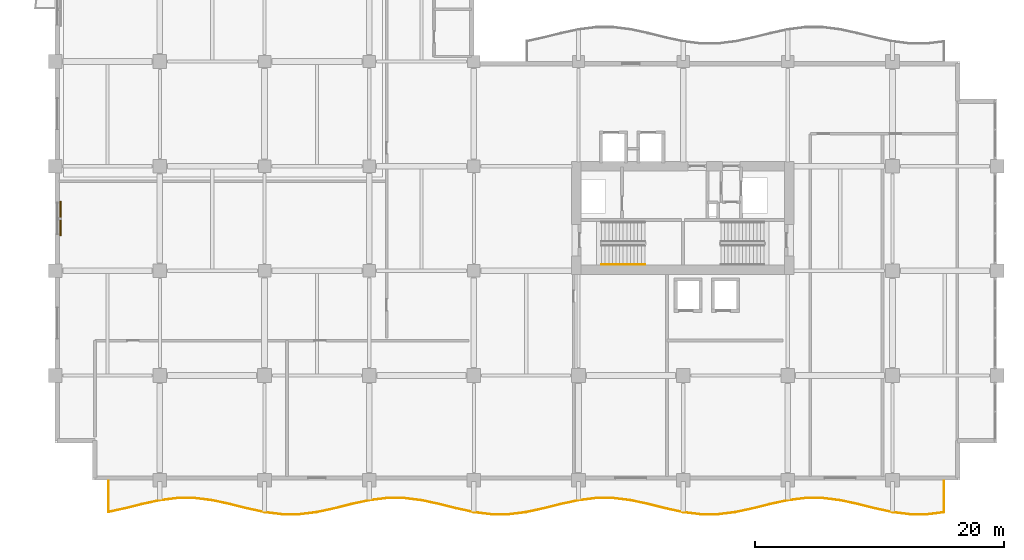
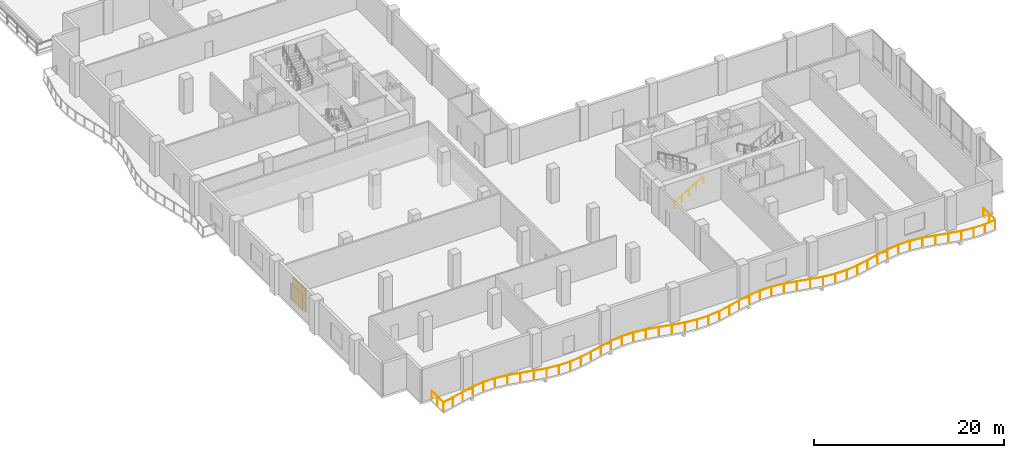
# One storey, part 18 of 22: 2 railings, 1 shading device.
"""IFC4 building model written with IfcOpenShell, lengths in metres."""

import ifcopenshell
import ifcopenshell.guid

model = None  # the IFC model being written
_history = None  # IfcOwnerHistory: only IFC2X3 demands one
_inside = {}  # id of a spatial element -> (the spatial element, [elements in it])
_under = {}  # id of a project, library or spatial element -> (it, [spatial elements below it])
_declared = {}  # id of a project -> (the project, [libraries it declares])
_typed = {}  # id of a type object -> (the type object, [elements of that type])
_made_of = {}  # id of a material, layer set ... -> (it, [elements and type objects made of it])


def new_model(schema):
    """Start an empty IFC model of exactly this schema.

    Asked for "IFC4X3", IfcOpenShell would pick the latest addendum, in which some entities
    have other attributes; the version numbers below select the first issue.
    IFC2X3 requires an IfcOwnerHistory on every rooted entity: one is made here for all.
    """
    global model, _history
    if schema == "IFC4X3":
        model = ifcopenshell.file(schema_version=(4, 3, 0, 0))
    else:
        model = ifcopenshell.file(schema=schema)
    _inside.clear()
    _under.clear()
    _declared.clear()
    _typed.clear()
    _made_of.clear()
    _history = None
    if model.schema == "IFC2X3":
        org = make("IfcOrganization", Name="unknown")
        user = make(
            "IfcPersonAndOrganization",
            ThePerson=make("IfcPerson", FamilyName="unknown"),
            TheOrganization=org,
        )
        app = make(
            "IfcApplication",
            ApplicationDeveloper=org,
            Version="unknown",
            ApplicationFullName="unknown",
            ApplicationIdentifier="unknown",
        )
        _history = make(
            "IfcOwnerHistory",
            OwningUser=user,
            OwningApplication=app,
            ChangeAction="ADDED",
            CreationDate=0,
        )
    return model


def make(cls, **values):
    """One entity of the class cls with the attributes given. An attribute that is None is left unset."""
    return model.create_entity(
        cls, **{name: value for name, value in values.items() if value is not None}
    )


def rooted(cls, **values):
    """An entity with a GlobalId (a new one), such as an element, a storey or a relation."""
    return make(cls, GlobalId=ifcopenshell.guid.new(), OwnerHistory=_history, **values)


def si_unit(unit_type, name, prefix=None):
    """IfcSIUnit, for example si_unit("LENGTHUNIT", "METRE", prefix="MILLI")."""
    return make("IfcSIUnit", UnitType=unit_type, Prefix=prefix, Name=name)


def assignment(units):
    """IfcUnitAssignment: the units of a project."""
    return None if units is None else make("IfcUnitAssignment", Units=units)


def point(xyz):
    """IfcCartesianPoint."""
    return None if xyz is None else make("IfcCartesianPoint", Coordinates=xyz)


def direction(xyz):
    """IfcDirection."""
    return None if xyz is None else make("IfcDirection", DirectionRatios=xyz)


def frame(location, z_axis=None, x_axis=None):
    """IfcAxis2Placement3D, a coordinate frame: its origin and axes. An axis left out is left unset."""
    return make(
        "IfcAxis2Placement3D",
        Location=point(location),
        Axis=direction(z_axis),
        RefDirection=direction(x_axis),
    )


def frame_2d(location, x_axis=None):
    """IfcAxis2Placement2D, a coordinate frame in the plane: its origin and x axis."""
    return make(
        "IfcAxis2Placement2D", Location=point(location), RefDirection=direction(x_axis)
    )


def origin():
    """The frame at (0, 0, 0) with its axes left unset."""
    return frame((0.0, 0.0, 0.0))


def origin_2d():
    """The frame at (0, 0) in the plane with its x axis left unset."""
    return frame_2d((0.0, 0.0))


def place(relative_to, where):
    """IfcLocalPlacement: puts the frame where relative to a parent placement (None: the world)."""
    return make(
        "IfcLocalPlacement", PlacementRelTo=relative_to, RelativePlacement=where
    )


def context(
    kind, dimensions, precision=None, world=None, true_north=None, identifier=None
):
    """IfcGeometricRepresentationContext, for example the 3D "Model" context."""
    return make(
        "IfcGeometricRepresentationContext",
        ContextIdentifier=identifier,
        ContextType=kind,
        CoordinateSpaceDimension=dimensions,
        Precision=precision,
        WorldCoordinateSystem=world,
        TrueNorth=true_north,
    )


def subcontext(parent, identifier, kind, view, scale=None):
    """IfcGeometricRepresentationSubContext, for example "Body" below "Model"."""
    return make(
        "IfcGeometricRepresentationSubContext",
        ContextIdentifier=identifier,
        ContextType=kind,
        ParentContext=parent,
        TargetScale=scale,
        TargetView=view,
    )


def project(units=None, contexts=None):
    """IfcProject with its units and contexts."""
    return rooted(
        "IfcProject",
        Name="project",
        RepresentationContexts=contexts,
        UnitsInContext=assignment(units),
    )


def spatial(cls, under=None, at=None, **own):
    """A site, building, storey or space (cls), placed at a placement, below another one or the project."""
    s = rooted(cls, ObjectPlacement=at, **own)
    if under is not None:
        _under.setdefault(under.id(), (under, []))[1].append(s)
    return s


def profile(cls, at=None, kind="AREA", **sizes):
    """A parametric profile (cls). Its sizes go by their IFC names, for example OverallWidth=200.0."""
    return make(cls, ProfileType=kind, Position=at, **sizes)


def rectangle(**sizes):
    """IfcRectangleProfileDef."""
    return profile("IfcRectangleProfileDef", **sizes)


def circle(**sizes):
    """IfcCircleProfileDef."""
    return profile("IfcCircleProfileDef", **sizes)


def extrude(swept, where, along, depth):
    """IfcExtrudedAreaSolid: the profile swept, set in the frame where, extruded along a direction by depth."""
    return make(
        "IfcExtrudedAreaSolid",
        SweptArea=swept,
        Position=where,
        ExtrudedDirection=direction(along),
        Depth=depth,
    )


def shape(context_of_items, identifier, shape_type, items):
    """IfcShapeRepresentation: the items that make up one representation, for example the "Body"."""
    return make(
        "IfcShapeRepresentation",
        ContextOfItems=context_of_items,
        RepresentationIdentifier=identifier,
        RepresentationType=shape_type,
        Items=items,
    )


def material(Name=None, Category=None):
    """IfcMaterial."""
    return make("IfcMaterial", Name=Name, Category=Category)


def layer(
    of_material, thickness, ventilated=None, Name=None, Category=None, Priority=None
):
    """IfcMaterialLayer: one layer of a wall or slab, of a material (None: an air gap)."""
    return make(
        "IfcMaterialLayer",
        Material=of_material,
        LayerThickness=thickness,
        IsVentilated=ventilated,
        Name=Name,
        Category=Category,
        Priority=Priority,
    )


def layer_set(layers, Name=None):
    """IfcMaterialLayerSet."""
    return make("IfcMaterialLayerSet", MaterialLayers=layers, LayerSetName=Name)


def made_of(thing, what):
    """Note that an element or type object is made of a material, layer set ...; save() writes the relation."""
    if what is not None:
        _made_of.setdefault(what.id(), (what, []))[1].append(thing)
    return thing


def type_object(cls, material=None, **own):
    """A type object (cls), such as IfcWallType, which elements share."""
    return made_of(rooted(cls, **own), material)


def element(
    cls,
    number,
    at=None,
    inside=None,
    cuts=None,
    type_object=None,
    material=None,
    context=None,
    identifier="Body",
    shape_type=None,
    held_by="IfcProductDefinitionShape",
    body=None,
    shapes=None,
    **own,
):
    """One element of the class cls, such as IfcWall. Its Tag is "e" and its number.

    at: its placement. inside: the storey or other place that contains it. cuts: it is an
    opening in that element (IfcRelVoidsElement). A single representation is given by context,
    identifier, shape_type and body (its items); several are given by shapes. held_by: the class
    of the entity that holds the representations. save() writes the other relations.
    """
    e = rooted(cls, Tag="e%d" % number, ObjectPlacement=at, **own)
    if body is not None:
        shapes = [shape(context, identifier, shape_type, body)]
    if shapes is not None:
        e.Representation = make(held_by, Representations=shapes)
    if inside is not None:
        _inside.setdefault(inside.id(), (inside, []))[1].append(e)
    if cuts is not None:
        rooted(
            "IfcRelVoidsElement", RelatingBuildingElement=cuts, RelatedOpeningElement=e
        )
    if type_object is not None:
        _typed.setdefault(type_object.id(), (type_object, []))[1].append(e)
    return made_of(e, material)


def aggregate(whole, parts):
    """IfcRelAggregates: a whole, such as a stair, and the parts it consists of."""
    return rooted("IfcRelAggregates", RelatingObject=whole, RelatedObjects=parts)


def save(model, path):
    """Write the relations noted so far, then the file.

    IfcRelAggregates (storeys below a building ...), IfcRelContainedInSpatialStructure (elements
    in a storey), IfcRelDefinesByType, IfcRelAssociatesMaterial and IfcRelDeclares: one each for
    every whole, place, type object, material and project.
    """
    for whole, parts in _under.values():
        aggregate(whole, parts)
    for where, things in _inside.values():
        rooted(
            "IfcRelContainedInSpatialStructure",
            RelatedElements=things,
            RelatingStructure=where,
        )
    for kind, things in _typed.values():
        rooted("IfcRelDefinesByType", RelatedObjects=things, RelatingType=kind)
    for what, things in _made_of.values():
        rooted("IfcRelAssociatesMaterial", RelatedObjects=things, RelatingMaterial=what)
    for by, libraries in _declared.values():
        rooted("IfcRelDeclares", RelatingContext=by, RelatedDefinitions=libraries)
    model.write(path)


model = new_model("IFC4")

# Units and contexts
model_context = context("Model", 3, precision=1e-05, world=origin(), true_north=direction((0.0, 1.0)))
body_context = subcontext(model_context, "Body", "Model", "MODEL_VIEW")
ifc_project = project(units=[si_unit("LENGTHUNIT", "METRE"), si_unit("AREAUNIT", "SQUARE_METRE"), si_unit("VOLUMEUNIT", "CUBIC_METRE"), si_unit("PLANEANGLEUNIT", "RADIAN"), si_unit("MASSUNIT", "GRAM", prefix="KILO")], contexts=[model_context])

# Site, building, storey
site_placement = place(None, origin())
site = spatial("IfcSite", under=ifc_project, at=site_placement, CompositionType="ELEMENT")
building_placement = place(site_placement, origin())
building = spatial("IfcBuilding", under=site, at=building_placement, Name="Koriwani Terraces Tower", CompositionType="ELEMENT")
storey_placement = place(building_placement, frame((0.0, 0.0, 153.199951171875)))
storey = spatial("IfcBuildingStorey", under=building, at=storey_placement, Name="L37", CompositionType="ELEMENT", Elevation=153.199951171875)

# Railings
ifc_material_1 = material(Name="Steel ASTM A572 Grade 50", Category="steel")
railing_type_1 = type_object("IfcRailingType", Name="GUARD_BALUSTRADE_1150", PredefinedType="BALUSTRADE", material=ifc_material_1)
railing_1_placement = place(storey_placement, frame((4.280029296875, -0.080078125, 0.0)))
element("IfcRailing", 1, at=railing_1_placement, inside=storey, type_object=railing_type_1, Name="L37 Balcony Perimeter Safety Balustrade (S)", PredefinedType="BALUSTRADE", context=body_context, shape_type="SweptSolid", body=[
    extrude(circle(Radius=0.02392578125, at=origin_2d()), frame((0.0, 0.0, 1.1259765625), z_axis=(0.0, -1.0, 0.0), x_axis=(1.0, 0.0, 0.0)), (0.0, 0.0, 1.0), 2.47314453125),
    extrude(circle(Radius=0.02392578125, at=origin_2d()), frame((0.0, -2.47314453125, 1.1259765625), z_axis=(0.977409048335, 0.211356457751, 0.0), x_axis=(-0.211356457751, 0.977409048335, 0.0)), (0.0, 0.0, 1.0), 1.331787109375),
    extrude(circle(Radius=0.02392578125, at=origin_2d()), frame((1.3017578125, -2.191650390625, 1.1259765625), z_axis=(0.970251871253, 0.242097720621, 0.0), x_axis=(-0.242097720621, 0.970251871253, 0.0)), (0.0, 0.0, 1.0), 1.443115234375),
    extrude(circle(Radius=0.02392578125, at=origin_2d()), frame((2.701904296875, -1.84228515625, 1.1259765625), z_axis=(0.977453031353, 0.21115295759, 0.0), x_axis=(-0.21115295759, 0.977453031353, 0.0)), (0.0, 0.0, 1.0), 1.437255859375),
    extrude(circle(Radius=0.02392578125, at=origin_2d()), frame((4.106689453125, -1.538818359375, 1.1259765625), z_axis=(0.992320166908, 0.123695943136, 0.0), x_axis=(-0.123695943136, 0.992320166908, 0.0)), (0.0, 0.0, 1.0), 1.419189453125),
    extrude(circle(Radius=0.02392578125, at=origin_2d()), frame((5.514892578125, -1.36328125, 1.1259765625), z_axis=(1.0, 0.0, 0.0), x_axis=(0.0, 1.0, 0.0)), (0.0, 0.0, 1.0), 1.41015625),
    extrude(circle(Radius=0.02392578125, at=origin_2d()), frame((6.925048828125, -1.36328125, 1.1259765625), z_axis=(0.992320166908, -0.123695943136, 0.0), x_axis=(0.123695943136, 0.992320166908, 0.0)), (0.0, 0.0, 1.0), 1.419189453125),
    extrude(circle(Radius=0.02392578125, at=origin_2d()), frame((8.333251953125, -1.538818359375, 1.1259765625), z_axis=(0.977453031353, -0.21115295759, 0.0), x_axis=(0.21115295759, 0.977453031353, 0.0)), (0.0, 0.0, 1.0), 1.437255859375),
    extrude(circle(Radius=0.02392578125, at=origin_2d()), frame((9.738037109375, -1.84228515625, 1.1259765625), z_axis=(0.970251871253, -0.242097720621, 0.0), x_axis=(0.242097720621, 0.970251871253, 0.0)), (0.0, 0.0, 1.0), 1.443115234375),
    extrude(circle(Radius=0.02392578125, at=origin_2d()), frame((11.13818359375, -2.191650390625, 1.1259765625), z_axis=(0.977402706702, -0.211385782237, 0.0), x_axis=(0.211385782237, 0.977402706702, 0.0)), (0.0, 0.0, 1.0), 1.427490234375),
    extrude(circle(Radius=0.02392578125, at=origin_2d()), frame((12.533447265625, -2.493408203125, 1.1259765625), z_axis=(0.992309982997, -0.123777613669, 0.0), x_axis=(0.123777613669, 0.992309982997, 0.0)), (0.0, 0.0, 1.0), 1.40234375),
    extrude(circle(Radius=0.02392578125, at=origin_2d()), frame((13.925048828125, -2.6669921875, 1.1259765625), z_axis=(1.0, 0.0, 0.0), x_axis=(0.0, 1.0, 0.0)), (0.0, 0.0, 1.0), 1.389892578125),
    extrude(circle(Radius=0.02392578125, at=origin_2d()), frame((15.31494140625, -2.6669921875, 1.1259765625), z_axis=(0.992309982997, 0.123777613669, 0.0), x_axis=(-0.123777613669, 0.992309982997, 0.0)), (0.0, 0.0, 1.0), 1.40234375),
    extrude(circle(Radius=0.02392578125, at=origin_2d()), frame((16.70654296875, -2.493408203125, 1.1259765625), z_axis=(0.977402706702, 0.211385782237, 0.0), x_axis=(-0.211385782237, 0.977402706702, 0.0)), (0.0, 0.0, 1.0), 1.427490234375),
    extrude(circle(Radius=0.02392578125, at=origin_2d()), frame((18.101806640625, -2.191650390625, 1.1259765625), z_axis=(0.970251871253, 0.242097720621, 0.0), x_axis=(-0.242097720621, 0.970251871253, 0.0)), (0.0, 0.0, 1.0), 1.443115234375),
    extrude(circle(Radius=0.02392578125, at=origin_2d()), frame((19.501953125, -1.84228515625, 1.1259765625), z_axis=(0.977445455552, 0.211188023857, 0.0), x_axis=(-0.211188023857, 0.977445455552, 0.0)), (0.0, 0.0, 1.0), 1.43701171875),
    extrude(circle(Radius=0.02392578125, at=origin_2d()), frame((20.906494140625, -1.538818359375, 1.1259765625), z_axis=(0.992322798546, 0.123674829633, 0.0), x_axis=(-0.123674829633, 0.992322798546, 0.0)), (0.0, 0.0, 1.0), 1.41943359375),
    extrude(circle(Radius=0.02392578125, at=origin_2d()), frame((22.31494140625, -1.36328125, 1.1259765625), z_axis=(1.0, 0.0, 0.0), x_axis=(0.0, 1.0, 0.0)), (0.0, 0.0, 1.0), 1.409912109375),
    extrude(circle(Radius=0.02392578125, at=origin_2d()), frame((23.724853515625, -1.36328125, 1.1259765625), z_axis=(0.992322798546, -0.123674829633, 0.0), x_axis=(0.123674829633, 0.992322798546, 0.0)), (0.0, 0.0, 1.0), 1.41943359375),
    extrude(circle(Radius=0.02392578125, at=origin_2d()), frame((25.13330078125, -1.538818359375, 1.1259765625), z_axis=(0.977453031353, -0.21115295759, 0.0), x_axis=(0.21115295759, 0.977453031353, 0.0)), (0.0, 0.0, 1.0), 1.437255859375),
    extrude(circle(Radius=0.02392578125, at=origin_2d()), frame((26.5380859375, -1.84228515625, 1.1259765625), z_axis=(0.970241952903, -0.242137466795, 0.0), x_axis=(0.242137466795, 0.970241952903, 0.0)), (0.0, 0.0, 1.0), 1.44287109375),
    extrude(circle(Radius=0.02392578125, at=origin_2d()), frame((27.93798828125, -2.191650390625, 1.1259765625), z_axis=(0.977402706702, -0.211385782237, 0.0), x_axis=(0.211385782237, 0.977402706702, 0.0)), (0.0, 0.0, 1.0), 1.427490234375),
    extrude(circle(Radius=0.02392578125, at=origin_2d()), frame((29.333251953125, -2.493408203125, 1.1259765625), z_axis=(0.992309982997, -0.123777613669, 0.0), x_axis=(0.123777613669, 0.992309982997, 0.0)), (0.0, 0.0, 1.0), 1.40234375),
    extrude(circle(Radius=0.02392578125, at=origin_2d()), frame((30.724853515625, -2.6669921875, 1.1259765625), z_axis=(1.0, 0.0, 0.0), x_axis=(0.0, 1.0, 0.0)), (0.0, 0.0, 1.0), 1.39013671875),
    extrude(circle(Radius=0.02392578125, at=origin_2d()), frame((32.114990234375, -2.6669921875, 1.1259765625), z_axis=(0.992309982997, 0.123777613669, 0.0), x_axis=(-0.123777613669, 0.992309982997, 0.0)), (0.0, 0.0, 1.0), 1.40234375),
    extrude(circle(Radius=0.02392578125, at=origin_2d()), frame((33.506591796875, -2.493408203125, 1.1259765625), z_axis=(0.977402706702, 0.211385782237, 0.0), x_axis=(-0.211385782237, 0.977402706702, 0.0)), (0.0, 0.0, 1.0), 1.427490234375),
    extrude(circle(Radius=0.02392578125, at=origin_2d()), frame((34.90185546875, -2.191650390625, 1.1259765625), z_axis=(0.970241952903, 0.242137466795, 0.0), x_axis=(-0.242137466795, 0.970241952903, 0.0)), (0.0, 0.0, 1.0), 1.44287109375),
    extrude(circle(Radius=0.02392578125, at=origin_2d()), frame((36.3017578125, -1.84228515625, 1.1259765625), z_axis=(0.977453031353, 0.21115295759, 0.0), x_axis=(-0.21115295759, 0.977453031353, 0.0)), (0.0, 0.0, 1.0), 1.437255859375),
    extrude(circle(Radius=0.02392578125, at=origin_2d()), frame((37.70654296875, -1.538818359375, 1.1259765625), z_axis=(0.992322798546, 0.123674829633, 0.0), x_axis=(-0.123674829633, 0.992322798546, 0.0)), (0.0, 0.0, 1.0), 1.41943359375),
    extrude(circle(Radius=0.02392578125, at=origin_2d()), frame((39.114990234375, -1.36328125, 1.1259765625), z_axis=(1.0, 0.0, 0.0), x_axis=(0.0, 1.0, 0.0)), (0.0, 0.0, 1.0), 1.409912109375),
    extrude(circle(Radius=0.02392578125, at=origin_2d()), frame((40.52490234375, -1.36328125, 1.1259765625), z_axis=(0.992322798546, -0.123674829633, 0.0), x_axis=(0.123674829633, 0.992322798546, 0.0)), (0.0, 0.0, 1.0), 1.41943359375),
    extrude(circle(Radius=0.02392578125, at=origin_2d()), frame((41.933349609375, -1.538818359375, 1.1259765625), z_axis=(0.977453031353, -0.21115295759, 0.0), x_axis=(0.21115295759, 0.977453031353, 0.0)), (0.0, 0.0, 1.0), 1.437255859375),
    extrude(circle(Radius=0.02392578125, at=origin_2d()), frame((43.338134765625, -1.84228515625, 1.1259765625), z_axis=(0.970241952903, -0.242137466795, 0.0), x_axis=(0.242137466795, 0.970241952903, 0.0)), (0.0, 0.0, 1.0), 1.44287109375),
    extrude(circle(Radius=0.02392578125, at=origin_2d()), frame((44.738037109375, -2.191650390625, 1.1259765625), z_axis=(0.977402706702, -0.211385782237, 0.0), x_axis=(0.211385782237, 0.977402706702, 0.0)), (0.0, 0.0, 1.0), 1.427490234375),
    extrude(circle(Radius=0.02392578125, at=origin_2d()), frame((46.13330078125, -2.493408203125, 1.1259765625), z_axis=(0.992309982997, -0.123777613669, 0.0), x_axis=(0.123777613669, 0.992309982997, 0.0)), (0.0, 0.0, 1.0), 1.40234375),
    extrude(circle(Radius=0.02392578125, at=origin_2d()), frame((47.52490234375, -2.6669921875, 1.1259765625), z_axis=(1.0, 0.0, 0.0), x_axis=(0.0, 1.0, 0.0)), (0.0, 0.0, 1.0), 1.39013671875),
    extrude(circle(Radius=0.02392578125, at=origin_2d()), frame((48.9150390625, -2.6669921875, 1.1259765625), z_axis=(0.992309982997, 0.123777613669, 0.0), x_axis=(-0.123777613669, 0.992309982997, 0.0)), (0.0, 0.0, 1.0), 1.40234375),
    extrude(circle(Radius=0.02392578125, at=origin_2d()), frame((50.306640625, -2.493408203125, 1.1259765625), z_axis=(0.977402706702, 0.211385782237, 0.0), x_axis=(-0.211385782237, 0.977402706702, 0.0)), (0.0, 0.0, 1.0), 1.427490234375),
    extrude(circle(Radius=0.02392578125, at=origin_2d()), frame((51.701904296875, -2.191650390625, 1.1259765625), z_axis=(0.970241952903, 0.242137466795, 0.0), x_axis=(-0.242137466795, 0.970241952903, 0.0)), (0.0, 0.0, 1.0), 1.44287109375),
    extrude(circle(Radius=0.02392578125, at=origin_2d()), frame((53.101806640625, -1.84228515625, 1.1259765625), z_axis=(0.977453031353, 0.21115295759, 0.0), x_axis=(-0.21115295759, 0.977453031353, 0.0)), (0.0, 0.0, 1.0), 1.437255859375),
    extrude(circle(Radius=0.02392578125, at=origin_2d()), frame((54.506591796875, -1.538818359375, 1.1259765625), z_axis=(0.992322798546, 0.123674829633, 0.0), x_axis=(-0.123674829633, 0.992322798546, 0.0)), (0.0, 0.0, 1.0), 1.41943359375),
    extrude(circle(Radius=0.02392578125, at=origin_2d()), frame((55.9150390625, -1.36328125, 1.1259765625), z_axis=(1.0, 0.0, 0.0), x_axis=(0.0, 1.0, 0.0)), (0.0, 0.0, 1.0), 1.409912109375),
    extrude(circle(Radius=0.02392578125, at=origin_2d()), frame((57.324951171875, -1.36328125, 1.1259765625), z_axis=(0.992322798546, -0.123674829633, 0.0), x_axis=(0.123674829633, 0.992322798546, 0.0)), (0.0, 0.0, 1.0), 1.41943359375),
    extrude(circle(Radius=0.02392578125, at=origin_2d()), frame((58.7333984375, -1.538818359375, 1.1259765625), z_axis=(0.977453031353, -0.21115295759, 0.0), x_axis=(0.21115295759, 0.977453031353, 0.0)), (0.0, 0.0, 1.0), 1.437255859375),
    extrude(circle(Radius=0.02392578125, at=origin_2d()), frame((60.13818359375, -1.84228515625, 1.1259765625), z_axis=(0.970241952903, -0.242137466795, 0.0), x_axis=(0.242137466795, 0.970241952903, 0.0)), (0.0, 0.0, 1.0), 1.44287109375),
    extrude(circle(Radius=0.02392578125, at=origin_2d()), frame((61.5380859375, -2.191650390625, 1.1259765625), z_axis=(0.977402706702, -0.211385782237, 0.0), x_axis=(0.211385782237, 0.977402706702, 0.0)), (0.0, 0.0, 1.0), 1.427490234375),
    extrude(circle(Radius=0.02392578125, at=origin_2d()), frame((62.933349609375, -2.493408203125, 1.1259765625), z_axis=(0.992309982997, -0.123777613669, 0.0), x_axis=(0.123777613669, 0.992309982997, 0.0)), (0.0, 0.0, 1.0), 1.40234375),
    extrude(circle(Radius=0.02392578125, at=origin_2d()), frame((64.324951171875, -2.6669921875, 1.1259765625), z_axis=(1.0, 0.0, 0.0), x_axis=(0.0, 1.0, 0.0)), (0.0, 0.0, 1.0), 1.39013671875),
    extrude(circle(Radius=0.02392578125, at=origin_2d()), frame((65.715087890625, -2.6669921875, 1.1259765625), z_axis=(0.992308789115, 0.123787184491, 0.0), x_axis=(-0.123787184491, 0.992308789115, 0.0)), (0.0, 0.0, 1.0), 1.335205078125),
    extrude(circle(Radius=0.02392578125, at=origin_2d()), frame((67.0400390625, -2.501708984375, 1.1259765625), z_axis=(0.0, 1.0, 0.0), x_axis=(-1.0, 0.0, 0.0)), (0.0, 0.0, 1.0), 2.501708984375),
    extrude(circle(Radius=0.02099609375, at=origin_2d()), origin(), (0.0, 0.0, 1.0), 1.101806640625),
    extrude(circle(Radius=0.02099609375, at=origin_2d()), frame((0.0, -1.236572265625, 0.0)), (0.0, 0.0, 1.0), 1.101806640625),
    extrude(circle(Radius=0.02099609375, at=origin_2d()), frame((0.0, -2.47314453125, 0.0)), (0.0, 0.0, 1.0), 1.101806640625),
    extrude(circle(Radius=0.02099609375, at=origin_2d()), frame((1.3017578125, -2.191650390625, 0.0)), (0.0, 0.0, 1.0), 1.101806640625),
    extrude(circle(Radius=0.02099609375, at=origin_2d()), frame((2.701904296875, -1.84228515625, 0.0)), (0.0, 0.0, 1.0), 1.101806640625),
    extrude(circle(Radius=0.02099609375, at=origin_2d()), frame((4.106689453125, -1.538818359375, 0.0)), (0.0, 0.0, 1.0), 1.101806640625),
    extrude(circle(Radius=0.02099609375, at=origin_2d()), frame((5.514892578125, -1.36328125, 0.0)), (0.0, 0.0, 1.0), 1.101806640625),
    extrude(circle(Radius=0.02099609375, at=origin_2d()), frame((6.925048828125, -1.36328125, 0.0)), (0.0, 0.0, 1.0), 1.101806640625),
    extrude(circle(Radius=0.02099609375, at=origin_2d()), frame((8.333251953125, -1.538818359375, 0.0)), (0.0, 0.0, 1.0), 1.101806640625),
    extrude(circle(Radius=0.02099609375, at=origin_2d()), frame((9.738037109375, -1.84228515625, 0.0)), (0.0, 0.0, 1.0), 1.101806640625),
    extrude(circle(Radius=0.02099609375, at=origin_2d()), frame((11.13818359375, -2.191650390625, 0.0)), (0.0, 0.0, 1.0), 1.101806640625),
    extrude(circle(Radius=0.02099609375, at=origin_2d()), frame((12.533447265625, -2.493408203125, 0.0)), (0.0, 0.0, 1.0), 1.101806640625),
    extrude(circle(Radius=0.02099609375, at=origin_2d()), frame((13.925048828125, -2.6669921875, 0.0)), (0.0, 0.0, 1.0), 1.101806640625),
    extrude(circle(Radius=0.02099609375, at=origin_2d()), frame((15.31494140625, -2.6669921875, 0.0)), (0.0, 0.0, 1.0), 1.101806640625),
    extrude(circle(Radius=0.02099609375, at=origin_2d()), frame((16.70654296875, -2.493408203125, 0.0)), (0.0, 0.0, 1.0), 1.101806640625),
    extrude(circle(Radius=0.02099609375, at=origin_2d()), frame((18.101806640625, -2.191650390625, 0.0)), (0.0, 0.0, 1.0), 1.101806640625),
    extrude(circle(Radius=0.02099609375, at=origin_2d()), frame((19.501953125, -1.84228515625, 0.0)), (0.0, 0.0, 1.0), 1.101806640625),
    extrude(circle(Radius=0.02099609375, at=origin_2d()), frame((20.906494140625, -1.538818359375, 0.0)), (0.0, 0.0, 1.0), 1.101806640625),
    extrude(circle(Radius=0.02099609375, at=origin_2d()), frame((22.31494140625, -1.36328125, 0.0)), (0.0, 0.0, 1.0), 1.101806640625),
    extrude(circle(Radius=0.02099609375, at=origin_2d()), frame((23.724853515625, -1.36328125, 0.0)), (0.0, 0.0, 1.0), 1.101806640625),
    extrude(circle(Radius=0.02099609375, at=origin_2d()), frame((25.13330078125, -1.538818359375, 0.0)), (0.0, 0.0, 1.0), 1.101806640625),
    extrude(circle(Radius=0.02099609375, at=origin_2d()), frame((26.5380859375, -1.84228515625, 0.0)), (0.0, 0.0, 1.0), 1.101806640625),
    extrude(circle(Radius=0.02099609375, at=origin_2d()), frame((27.93798828125, -2.191650390625, 0.0)), (0.0, 0.0, 1.0), 1.101806640625),
    extrude(circle(Radius=0.02099609375, at=origin_2d()), frame((29.333251953125, -2.493408203125, 0.0)), (0.0, 0.0, 1.0), 1.101806640625),
    extrude(circle(Radius=0.02099609375, at=origin_2d()), frame((30.724853515625, -2.6669921875, 0.0)), (0.0, 0.0, 1.0), 1.101806640625),
    extrude(circle(Radius=0.02099609375, at=origin_2d()), frame((32.114990234375, -2.6669921875, 0.0)), (0.0, 0.0, 1.0), 1.101806640625),
    extrude(circle(Radius=0.02099609375, at=origin_2d()), frame((33.506591796875, -2.493408203125, 0.0)), (0.0, 0.0, 1.0), 1.101806640625),
    extrude(circle(Radius=0.02099609375, at=origin_2d()), frame((34.90185546875, -2.191650390625, 0.0)), (0.0, 0.0, 1.0), 1.101806640625),
    extrude(circle(Radius=0.02099609375, at=origin_2d()), frame((36.3017578125, -1.84228515625, 0.0)), (0.0, 0.0, 1.0), 1.101806640625),
    extrude(circle(Radius=0.02099609375, at=origin_2d()), frame((37.70654296875, -1.538818359375, 0.0)), (0.0, 0.0, 1.0), 1.101806640625),
    extrude(circle(Radius=0.02099609375, at=origin_2d()), frame((39.114990234375, -1.36328125, 0.0)), (0.0, 0.0, 1.0), 1.101806640625),
    extrude(circle(Radius=0.02099609375, at=origin_2d()), frame((40.52490234375, -1.36328125, 0.0)), (0.0, 0.0, 1.0), 1.101806640625),
    extrude(circle(Radius=0.02099609375, at=origin_2d()), frame((41.933349609375, -1.538818359375, 0.0)), (0.0, 0.0, 1.0), 1.101806640625),
    extrude(circle(Radius=0.02099609375, at=origin_2d()), frame((43.338134765625, -1.84228515625, 0.0)), (0.0, 0.0, 1.0), 1.101806640625),
    extrude(circle(Radius=0.02099609375, at=origin_2d()), frame((44.738037109375, -2.191650390625, 0.0)), (0.0, 0.0, 1.0), 1.101806640625),
    extrude(circle(Radius=0.02099609375, at=origin_2d()), frame((46.13330078125, -2.493408203125, 0.0)), (0.0, 0.0, 1.0), 1.101806640625),
    extrude(circle(Radius=0.02099609375, at=origin_2d()), frame((47.52490234375, -2.6669921875, 0.0)), (0.0, 0.0, 1.0), 1.101806640625),
    extrude(circle(Radius=0.02099609375, at=origin_2d()), frame((48.9150390625, -2.6669921875, 0.0)), (0.0, 0.0, 1.0), 1.101806640625),
    extrude(circle(Radius=0.02099609375, at=origin_2d()), frame((50.306640625, -2.493408203125, 0.0)), (0.0, 0.0, 1.0), 1.101806640625),
    extrude(circle(Radius=0.02099609375, at=origin_2d()), frame((51.701904296875, -2.191650390625, 0.0)), (0.0, 0.0, 1.0), 1.101806640625),
    extrude(circle(Radius=0.02099609375, at=origin_2d()), frame((53.101806640625, -1.84228515625, 0.0)), (0.0, 0.0, 1.0), 1.101806640625),
    extrude(circle(Radius=0.02099609375, at=origin_2d()), frame((54.506591796875, -1.538818359375, 0.0)), (0.0, 0.0, 1.0), 1.101806640625),
    extrude(circle(Radius=0.02099609375, at=origin_2d()), frame((55.9150390625, -1.36328125, 0.0)), (0.0, 0.0, 1.0), 1.101806640625),
    extrude(circle(Radius=0.02099609375, at=origin_2d()), frame((57.324951171875, -1.36328125, 0.0)), (0.0, 0.0, 1.0), 1.101806640625),
    extrude(circle(Radius=0.02099609375, at=origin_2d()), frame((58.7333984375, -1.538818359375, 0.0)), (0.0, 0.0, 1.0), 1.101806640625),
    extrude(circle(Radius=0.02099609375, at=origin_2d()), frame((60.13818359375, -1.84228515625, 0.0)), (0.0, 0.0, 1.0), 1.101806640625),
    extrude(circle(Radius=0.02099609375, at=origin_2d()), frame((61.5380859375, -2.191650390625, 0.0)), (0.0, 0.0, 1.0), 1.101806640625),
    extrude(circle(Radius=0.02099609375, at=origin_2d()), frame((62.933349609375, -2.493408203125, 0.0)), (0.0, 0.0, 1.0), 1.101806640625),
    extrude(circle(Radius=0.02099609375, at=origin_2d()), frame((64.324951171875, -2.6669921875, 0.0)), (0.0, 0.0, 1.0), 1.101806640625),
    extrude(circle(Radius=0.02099609375, at=origin_2d()), frame((65.715087890625, -2.6669921875, 0.0)), (0.0, 0.0, 1.0), 1.101806640625),
    extrude(circle(Radius=0.02099609375, at=origin_2d()), frame((67.0400390625, -2.501708984375, 0.0)), (0.0, 0.0, 1.0), 1.101806640625),
    extrude(circle(Radius=0.02099609375, at=origin_2d()), frame((67.0400390625, -1.2509765625, 0.0)), (0.0, 0.0, 1.0), 1.101806640625),
    extrude(circle(Radius=0.02099609375, at=origin_2d()), frame((67.0400390625, 0.0, 0.0)), (0.0, 0.0, 1.0), 1.101806640625),
])
railing_type_2 = type_object("IfcRailingType", Name="HANDRAIL_STAIR_920", PredefinedType="HANDRAIL", material=ifc_material_1)
railing_2_placement = place(storey_placement, frame((43.85009765625, 17.300048828125, 0.169189453125)))
element("IfcRailing", 2, at=railing_2_placement, inside=storey, type_object=railing_type_2, Name="L37 ST-E1 stair handrail 1", PredefinedType="HANDRAIL", context=body_context, shape_type="SweptSolid", body=[
    extrude(circle(Radius=0.02392578125, at=origin_2d()), frame((0.0, 0.0, 0.8759765625), z_axis=(0.863695377172, 0.0, 0.504014181796), x_axis=(0.0, 1.0, 0.0)), (0.0, 0.0, 1.0), 4.029296875),
    extrude(circle(Radius=0.02099609375, at=origin_2d()), origin(), (0.0, 0.0, 1.0), 0.851806640625),
    extrude(circle(Radius=0.02099609375, at=origin_2d()), frame((0.8701171875, 0.0, 0.5078125)), (0.0, 0.0, 1.0), 0.851806640625),
    extrude(circle(Radius=0.02099609375, at=origin_2d()), frame((1.739990234375, 0.0, 1.015380859375)), (0.0, 0.0, 1.0), 0.851806640625),
    extrude(circle(Radius=0.02099609375, at=origin_2d()), frame((2.60986328125, 0.0, 1.52294921875)), (0.0, 0.0, 1.0), 0.851806640625),
    extrude(circle(Radius=0.02099609375, at=origin_2d()), frame((3.47998046875, 0.0, 2.03076171875)), (0.0, 0.0, 1.0), 0.851806640625),
])

# Shading device
ifc_material_2 = material(Name="Extruded Terracotta Clay", Category="masonry")
ifc_layer = layer(ifc_material_2, 0.1201171875, Name="Extruded Terracotta Clay")
ifc_layer_set = layer_set([ifc_layer], Name="Extruded Terracotta Clay")
shading_device_type = type_object("IfcShadingDeviceType", Name="TERRACOTTA_BAGUETTE_SCREEN_2800", PredefinedType="USERDEFINED", material=ifc_layer_set)
shading_device_placement = place(storey_placement, frame((0.405029296875, 21.0, 0.625), z_axis=(0.0, 0.0, 1.0), x_axis=(0.0, 1.0, 0.0)))
element("IfcShadingDevice", 3, at=shading_device_placement, inside=storey, type_object=shading_device_type, Name="L37 Extruded Terracotta Baguette Screen (W-6)", ObjectType="BAGUETTE", PredefinedType="USERDEFINED", context=body_context, shape_type="SweptSolid", body=[
    extrude(rectangle(XDim=2.760009765625, YDim=0.1201171875, at=origin_2d()), origin(), (0.0, 0.0, 1.0), 2.89990234375),
])

save(model, "model.ifc")
